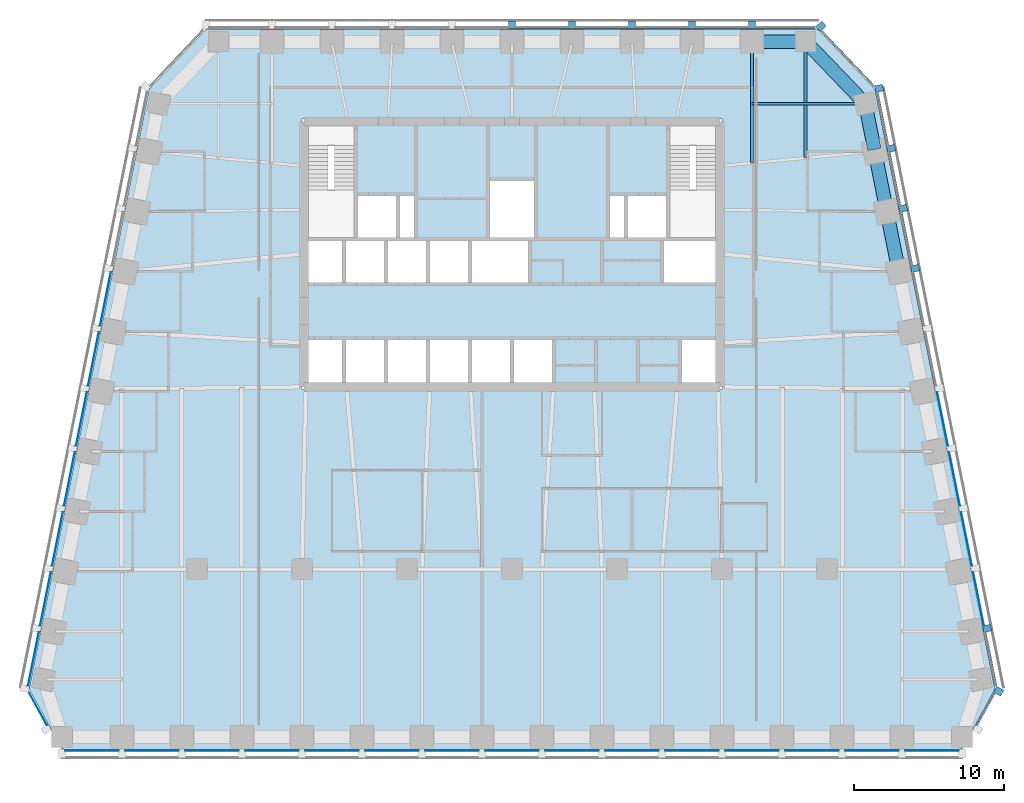
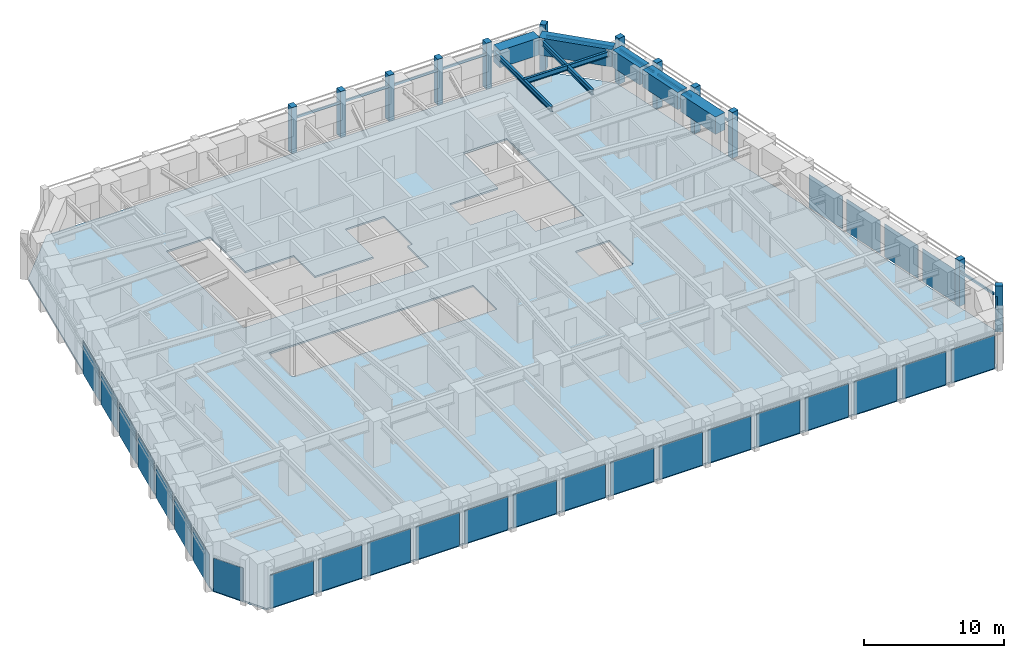
# One storey, part 4 of 10: 27 plates, 23 members, 8 beams, 1 slab, 7 elements without a shape of their own.
"""IFC4 building model written with IfcOpenShell, lengths in metres."""

from ifc_helpers import new_model, si_unit, direction, frame, origin, origin_2d, place, context, subcontext, project, spatial, polyline, rectangle, i_section, outline, extrude, material, layer, layer_set, material_profile, profile_set, type_object, element, aggregate, save


model = new_model("IFC4")

# Units and contexts
model_context = context("Model", 3, precision=1e-05, world=origin(), true_north=direction((0.0, 1.0)))
body_context = subcontext(model_context, "Body", "Model", "MODEL_VIEW")
ifc_project = project(units=[si_unit("LENGTHUNIT", "METRE"), si_unit("AREAUNIT", "SQUARE_METRE"), si_unit("VOLUMEUNIT", "CUBIC_METRE"), si_unit("PLANEANGLEUNIT", "RADIAN"), si_unit("MASSUNIT", "GRAM", prefix="KILO")], contexts=[model_context])

# Site, building, storey
site_placement = place(None, origin())
site = spatial("IfcSite", under=ifc_project, at=site_placement, CompositionType="ELEMENT")
building_placement = place(site_placement, origin())
building = spatial("IfcBuilding", under=site, at=building_placement, Name="Isbrekke Arena Tower", CompositionType="ELEMENT")
storey_placement = place(building_placement, frame((0.0, 0.0, 190.0)))
storey = spatial("IfcBuildingStorey", under=building, at=storey_placement, Name="L43", CompositionType="ELEMENT", Elevation=190.0)

# Beams
ifc_material_1 = material(Name="Steel S355", Category="steel")
ifc_material_profile_1 = material_profile(ifc_material_1, i_section(OverallWidth=0.18994140625, OverallDepth=0.449951171875, WebThickness=0.009521484375, FlangeThickness=0.0146484375, FilletRadius=0.02099609375, at=origin_2d()), Name="IPE 450")
ifc_profile_set_1 = profile_set([ifc_material_profile_1], Name="Steel S355")
beam_type_1 = type_object("IfcBeamType", Name="B2 IPE 450", PredefinedType="BEAM", material=ifc_profile_set_1)
beam_1_placement = place(storey_placement, frame((23.40283203125, 25.029296875, 3.625), z_axis=(-1.0, 0.0, 0.0), x_axis=(0.0, -1.0, 0.0)))
element("IfcBeam", 1, at=beam_1_placement, inside=storey, type_object=beam_type_1, Name="B2 beam E-E11 L43", PredefinedType="BEAM", context=body_context, shape_type="SweptSolid", body=[
    extrude(i_section(OverallWidth=0.18994140625, OverallDepth=0.449951171875, WebThickness=0.009521484375, FlangeThickness=0.0146484375, FilletRadius=0.02099609375, at=origin_2d()), origin(), (0.0, 0.0, 1.0), 7.40283203125),
])
ifc_material_2 = material(Name="Steel S355", Category="steel")
ifc_material_profile_2 = material_profile(ifc_material_2, i_section(OverallWidth=0.18994140625, OverallDepth=0.449951171875, WebThickness=0.009521484375, FlangeThickness=0.0146484375, FilletRadius=0.02099609375, at=origin_2d()), Name="IPE 450")
ifc_profile_set_2 = profile_set([ifc_material_profile_2], Name="Steel S355")
beam_type_2 = type_object("IfcBeamType", Name="B3 IPE 450", PredefinedType="BEAM", material=ifc_profile_set_2)
beam_2_placement = place(storey_placement, frame((19.574951171875, 29.02490234375, 3.625), z_axis=(0.0, -1.0, 0.0), x_axis=(1.0, 0.0, 0.0)))
element("IfcBeam", 2, at=beam_2_placement, inside=storey, type_object=beam_type_2, Name="B3 beam N-N01 L43", PredefinedType="BEAM", context=body_context, shape_type="SweptSolid", body=[
    extrude(i_section(OverallWidth=0.18994140625, OverallDepth=0.449951171875, WebThickness=0.009521484375, FlangeThickness=0.0146484375, FilletRadius=0.02099609375, at=origin_2d()), origin(), (0.0, 0.0, 1.0), 7.6103515625),
])
beam_3_placement = place(storey_placement, frame((16.0, 29.02490234375, 3.625), z_axis=(0.0, -1.0, 0.0), x_axis=(1.0, 0.0, 0.0)))
element("IfcBeam", 3, at=beam_3_placement, inside=storey, type_object=beam_type_2, Name="B3 beam N-N02 L43", PredefinedType="BEAM", context=body_context, shape_type="SweptSolid", body=[
    extrude(i_section(OverallWidth=0.18994140625, OverallDepth=0.449951171875, WebThickness=0.009521484375, FlangeThickness=0.0146484375, FilletRadius=0.02099609375, at=origin_2d()), origin(), (0.0, 0.0, 1.0), 7.949462890625),
])

# Curtain wall, member
ifc_material_3 = material(Name="Glazed aluminium curtain wall", Category="aluminium")
curtain_wall_type = type_object("IfcCurtainWallType", Name="CWH TOWER CURTAIN WALL HIGH ZONE", PredefinedType="USERDEFINED", material=ifc_material_3)
curtain_wall_1_placement = place(storey_placement, origin())
curtain_wall_1 = element("IfcCurtainWall", 4, at=curtain_wall_1_placement, inside=storey, type_object=curtain_wall_type, Name="CWH curtain wall L43-SE", ObjectType="TOWER CURTAIN WALL HIGH ZONE", PredefinedType="USERDEFINED")
ifc_material_4 = material(Name="Aluminium mullion, pale brick slip cladding", Category="masonry")
ifc_material_profile_3 = material_profile(ifc_material_4, rectangle(XDim=0.449951171875, YDim=0.550048828125, at=origin_2d()), Name="PIER 450X550")
ifc_profile_set_3 = profile_set([ifc_material_profile_3], Name="Aluminium mullion, pale brick slip cladding")
member_type_1 = type_object("IfcMemberType", Name="CWH-M PIER MULLION 450 x 550", PredefinedType="MULLION", material=ifc_profile_set_3)
member_1_placement = place(storey_placement, frame((32.44091796875, -14.132568359375, 0.0), z_axis=(0.0, 0.0, 1.0), x_axis=(0.481918749773, 0.876215908676, 0.0)))
member_1 = element("IfcMember", 5, at=member_1_placement, type_object=member_type_1, Name="CWH-M mullion 2", PredefinedType="MULLION", context=body_context, shape_type="SweptSolid", body=[
    extrude(rectangle(XDim=0.449951171875, YDim=0.550048828125, at=origin_2d()), origin(), (0.0, 0.0, 1.0), 4.0),
])

# Curtain wall, members
curtain_wall_2_placement = place(storey_placement, origin())
curtain_wall_2 = element("IfcCurtainWall", 6, at=curtain_wall_2_placement, inside=storey, type_object=curtain_wall_type, Name="CWH curtain wall L43-E", ObjectType="TOWER CURTAIN WALL HIGH ZONE", PredefinedType="USERDEFINED")
member_2_placement = place(storey_placement, frame((31.669677734375, -9.946044921875, 0.0), z_axis=(0.0, 0.0, 1.0), x_axis=(-0.196116135138, 0.980580675691, 0.0)))
member_2 = element("IfcMember", 7, at=member_2_placement, type_object=member_type_1, Name="CWH-M mullion 1", PredefinedType="MULLION", context=body_context, shape_type="SweptSolid", body=[
    extrude(rectangle(XDim=0.449951171875, YDim=0.550048828125, at=origin_2d()), origin(), (0.0, 0.0, 1.0), 4.0),
])
member_3_placement = place(storey_placement, frame((26.86962890625, 14.053955078125, 0.0), z_axis=(0.0, 0.0, 1.0), x_axis=(-0.196116135138, 0.980580675691, 0.0)))
member_3 = element("IfcMember", 8, at=member_3_placement, type_object=member_type_1, Name="CWH-M mullion 7", PredefinedType="MULLION", context=body_context, shape_type="SweptSolid", body=[
    extrude(rectangle(XDim=0.449951171875, YDim=0.550048828125, at=origin_2d()), origin(), (0.0, 0.0, 1.0), 4.0),
])
member_4_placement = place(storey_placement, frame((26.069580078125, 18.053955078125, 0.0), z_axis=(0.0, 0.0, 1.0), x_axis=(-0.196116135138, 0.980580675691, 0.0)))
member_4 = element("IfcMember", 9, at=member_4_placement, type_object=member_type_1, Name="CWH-M mullion 8", PredefinedType="MULLION", context=body_context, shape_type="SweptSolid", body=[
    extrude(rectangle(XDim=0.449951171875, YDim=0.550048828125, at=origin_2d()), origin(), (0.0, 0.0, 1.0), 4.0),
])
member_5_placement = place(storey_placement, frame((25.269775390625, 22.053955078125, 0.0), z_axis=(0.0, 0.0, 1.0), x_axis=(-0.196116135138, 0.980580675691, 0.0)))
member_5 = element("IfcMember", 10, at=member_5_placement, type_object=member_type_1, Name="CWH-M mullion 9", PredefinedType="MULLION", context=body_context, shape_type="SweptSolid", body=[
    extrude(rectangle(XDim=0.449951171875, YDim=0.550048828125, at=origin_2d()), origin(), (0.0, 0.0, 1.0), 4.0),
])
member_6_placement = place(storey_placement, frame((24.4697265625, 26.053955078125, 0.0), z_axis=(0.0, 0.0, 1.0), x_axis=(-0.196116135138, 0.980580675691, 0.0)))
member_6 = element("IfcMember", 11, at=member_6_placement, type_object=member_type_1, Name="CWH-M mullion 10", PredefinedType="MULLION", context=body_context, shape_type="SweptSolid", body=[
    extrude(rectangle(XDim=0.449951171875, YDim=0.550048828125, at=origin_2d()), origin(), (0.0, 0.0, 1.0), 4.0),
])

# Curtain wall, member
curtain_wall_3_placement = place(storey_placement, origin())
curtain_wall_3 = element("IfcCurtainWall", 12, at=curtain_wall_3_placement, inside=storey, type_object=curtain_wall_type, Name="CWH curtain wall L43-EN", ObjectType="TOWER CURTAIN WALL HIGH ZONE", PredefinedType="USERDEFINED")
member_7_placement = place(storey_placement, frame((20.599365234375, 30.189453125, 0.0), z_axis=(0.0, 0.0, 1.0), x_axis=(-0.68874946192, 0.72499943359, 0.0)))
member_7 = element("IfcMember", 13, at=member_7_placement, type_object=member_type_1, Name="CWH-M mullion 1", PredefinedType="MULLION", context=body_context, shape_type="SweptSolid", body=[
    extrude(rectangle(XDim=0.449951171875, YDim=0.550048828125, at=origin_2d()), origin(), (0.0, 0.0, 1.0), 4.0),
])

# Curtain wall, members
curtain_wall_4_placement = place(storey_placement, origin())
curtain_wall_4 = element("IfcCurtainWall", 14, at=curtain_wall_4_placement, inside=storey, type_object=curtain_wall_type, Name="CWH curtain wall L43-N", ObjectType="TOWER CURTAIN WALL HIGH ZONE", PredefinedType="USERDEFINED")
member_8_placement = place(storey_placement, frame((16.0, 30.27490234375, 0.0), z_axis=(0.0, 0.0, 1.0), x_axis=(-1.0, 0.0, 0.0)))
member_8 = element("IfcMember", 15, at=member_8_placement, type_object=member_type_1, Name="CWH-M mullion 1", PredefinedType="MULLION", context=body_context, shape_type="SweptSolid", body=[
    extrude(rectangle(XDim=0.449951171875, YDim=0.550048828125, at=origin_2d()), origin(), (0.0, 0.0, 1.0), 4.0),
])
member_9_placement = place(storey_placement, frame((12.0, 30.27490234375, 0.0), z_axis=(0.0, 0.0, 1.0), x_axis=(-1.0, 0.0, 0.0)))
member_9 = element("IfcMember", 16, at=member_9_placement, type_object=member_type_1, Name="CWH-M mullion 2", PredefinedType="MULLION", context=body_context, shape_type="SweptSolid", body=[
    extrude(rectangle(XDim=0.449951171875, YDim=0.550048828125, at=origin_2d()), origin(), (0.0, 0.0, 1.0), 4.0),
])
member_10_placement = place(storey_placement, frame((8.0, 30.27490234375, 0.0), z_axis=(0.0, 0.0, 1.0), x_axis=(-1.0, 0.0, 0.0)))
member_10 = element("IfcMember", 17, at=member_10_placement, type_object=member_type_1, Name="CWH-M mullion 3", PredefinedType="MULLION", context=body_context, shape_type="SweptSolid", body=[
    extrude(rectangle(XDim=0.449951171875, YDim=0.550048828125, at=origin_2d()), origin(), (0.0, 0.0, 1.0), 4.0),
])
member_11_placement = place(storey_placement, frame((4.0, 30.27490234375, 0.0), z_axis=(0.0, 0.0, 1.0), x_axis=(-1.0, 0.0, 0.0)))
member_11 = element("IfcMember", 18, at=member_11_placement, type_object=member_type_1, Name="CWH-M mullion 4", PredefinedType="MULLION", context=body_context, shape_type="SweptSolid", body=[
    extrude(rectangle(XDim=0.449951171875, YDim=0.550048828125, at=origin_2d()), origin(), (0.0, 0.0, 1.0), 4.0),
])
member_12_placement = place(storey_placement, frame((0.0, 30.27490234375, 0.0), z_axis=(0.0, 0.0, 1.0), x_axis=(-1.0, 0.0, 0.0)))
member_12 = element("IfcMember", 19, at=member_12_placement, type_object=member_type_1, Name="CWH-M mullion 5", PredefinedType="MULLION", context=body_context, shape_type="SweptSolid", body=[
    extrude(rectangle(XDim=0.449951171875, YDim=0.550048828125, at=origin_2d()), origin(), (0.0, 0.0, 1.0), 4.0),
])

# Member
ifc_material_5 = material(Name="Aluminium transom", Category="aluminium")
ifc_material_profile_4 = material_profile(ifc_material_5, rectangle(XDim=0.1201171875, YDim=0.199951171875, at=origin_2d()), Name="TRANSOM 120X200")
ifc_profile_set_4 = profile_set([ifc_material_profile_4], Name="Aluminium transom")
member_type_2 = type_object("IfcMemberType", Name="CWH-T TRANSOM 120 x 200", PredefinedType="USERDEFINED", material=ifc_profile_set_4)
member_13_placement = place(storey_placement, frame((31.002197265625, -16.38525390625, 3.0), z_axis=(0.481937937062, 0.876205355393, 0.0), x_axis=(-0.876205355393, 0.481937937062, 0.0)))
member_13 = element("IfcMember", 20, at=member_13_placement, type_object=member_type_2, Name="CWH-T transom 1", ObjectType="TRANSOM", PredefinedType="USERDEFINED", context=body_context, shape_type="SweptSolid", body=[
    extrude(rectangle(XDim=0.1201171875, YDim=0.199951171875, at=origin_2d()), origin(), (0.0, 0.0, 1.0), 2.442138671875),
])

aggregate(curtain_wall_1, [member_1, member_13])

member_14_placement = place(storey_placement, frame((32.25390625, -13.759765625, 3.0), z_axis=(-0.196090262229, 0.980585849918, 0.0), x_axis=(-0.980585849918, -0.196090262229, 0.0)))
member_14 = element("IfcMember", 21, at=member_14_placement, type_object=member_type_2, Name="CWH-T transom 1", ObjectType="TRANSOM", PredefinedType="USERDEFINED", context=body_context, shape_type="SweptSolid", body=[
    extrude(rectangle(XDim=0.1201171875, YDim=0.199951171875, at=origin_2d()), origin(), (0.0, 0.0, 1.0), 3.62939453125),
])

member_15_placement = place(storey_placement, frame((26.654052734375, 14.240234375, 3.0), z_axis=(-0.196154943734, 0.980572913173, 0.0), x_axis=(-0.980572913173, -0.196154943734, 0.0)))
member_15 = element("IfcMember", 22, at=member_15_placement, type_object=member_type_2, Name="CWH-T transom 8", ObjectType="TRANSOM", PredefinedType="USERDEFINED", context=body_context, shape_type="SweptSolid", body=[
    extrude(rectangle(XDim=0.1201171875, YDim=0.199951171875, at=origin_2d()), origin(), (0.0, 0.0, 1.0), 3.62939453125),
])

member_16_placement = place(storey_placement, frame((25.85400390625, 18.240234375, 3.0), z_axis=(-0.196154943734, 0.980572913173, 0.0), x_axis=(-0.980572913173, -0.196154943734, 0.0)))
member_16 = element("IfcMember", 23, at=member_16_placement, type_object=member_type_2, Name="CWH-T transom 9", ObjectType="TRANSOM", PredefinedType="USERDEFINED", context=body_context, shape_type="SweptSolid", body=[
    extrude(rectangle(XDim=0.1201171875, YDim=0.199951171875, at=origin_2d()), origin(), (0.0, 0.0, 1.0), 3.62939453125),
])

member_17_placement = place(storey_placement, frame((25.053955078125, 22.240234375, 3.0), z_axis=(-0.196090262229, 0.980585849918, 0.0), x_axis=(-0.980585849918, -0.196090262229, 0.0)))
member_17 = element("IfcMember", 24, at=member_17_placement, type_object=member_type_2, Name="CWH-T transom 10", ObjectType="TRANSOM", PredefinedType="USERDEFINED", context=body_context, shape_type="SweptSolid", body=[
    extrude(rectangle(XDim=0.1201171875, YDim=0.199951171875, at=origin_2d()), origin(), (0.0, 0.0, 1.0), 3.62939453125),
])

member_18_placement = place(storey_placement, frame((24.117431640625, 26.23193359375, 3.0), z_axis=(-0.688734266994, 0.725013868466, 0.0), x_axis=(-0.725013868466, -0.688734266994, 0.0)))
member_18 = element("IfcMember", 25, at=member_18_placement, type_object=member_type_2, Name="CWH-T transom 1", ObjectType="TRANSOM", PredefinedType="USERDEFINED", context=body_context, shape_type="SweptSolid", body=[
    extrude(rectangle(XDim=0.1201171875, YDim=0.199951171875, at=origin_2d()), origin(), (0.0, 0.0, 1.0), 5.067138671875),
])

aggregate(curtain_wall_3, [member_7, member_18])

member_19_placement = place(storey_placement, frame((20.175048828125, 30.10009765625, 3.0), z_axis=(-1.0, 0.0, 0.0), x_axis=(0.0, -1.0, 0.0)))
member_19 = element("IfcMember", 26, at=member_19_placement, type_object=member_type_2, Name="CWH-T transom 1", ObjectType="TRANSOM", PredefinedType="USERDEFINED", context=body_context, shape_type="SweptSolid", body=[
    extrude(rectangle(XDim=0.1201171875, YDim=0.199951171875, at=origin_2d()), origin(), (0.0, 0.0, 1.0), 3.949951171875),
])

member_20_placement = place(storey_placement, frame((15.77490234375, 30.10009765625, 3.0), z_axis=(-1.0, 0.0, 0.0), x_axis=(0.0, -1.0, 0.0)))
member_20 = element("IfcMember", 27, at=member_20_placement, type_object=member_type_2, Name="CWH-T transom 2", ObjectType="TRANSOM", PredefinedType="USERDEFINED", context=body_context, shape_type="SweptSolid", body=[
    extrude(rectangle(XDim=0.1201171875, YDim=0.199951171875, at=origin_2d()), origin(), (0.0, 0.0, 1.0), 3.5498046875),
])

member_21_placement = place(storey_placement, frame((11.77490234375, 30.10009765625, 3.0), z_axis=(-1.0, 0.0, 0.0), x_axis=(0.0, -1.0, 0.0)))
member_21 = element("IfcMember", 28, at=member_21_placement, type_object=member_type_2, Name="CWH-T transom 3", ObjectType="TRANSOM", PredefinedType="USERDEFINED", context=body_context, shape_type="SweptSolid", body=[
    extrude(rectangle(XDim=0.1201171875, YDim=0.199951171875, at=origin_2d()), origin(), (0.0, 0.0, 1.0), 3.5498046875),
])

member_22_placement = place(storey_placement, frame((7.77490234375, 30.10009765625, 3.0), z_axis=(-1.0, 0.0, 0.0), x_axis=(0.0, -1.0, 0.0)))
member_22 = element("IfcMember", 29, at=member_22_placement, type_object=member_type_2, Name="CWH-T transom 4", ObjectType="TRANSOM", PredefinedType="USERDEFINED", context=body_context, shape_type="SweptSolid", body=[
    extrude(rectangle(XDim=0.1201171875, YDim=0.199951171875, at=origin_2d()), origin(), (0.0, 0.0, 1.0), 3.5498046875),
])

member_23_placement = place(storey_placement, frame((3.77490234375, 30.10009765625, 3.0), z_axis=(-1.0, 0.0, 0.0), x_axis=(0.0, -1.0, 0.0)))
member_23 = element("IfcMember", 30, at=member_23_placement, type_object=member_type_2, Name="CWH-T transom 5", ObjectType="TRANSOM", PredefinedType="USERDEFINED", context=body_context, shape_type="SweptSolid", body=[
    extrude(rectangle(XDim=0.1201171875, YDim=0.199951171875, at=origin_2d()), origin(), (0.0, 0.0, 1.0), 3.5498046875),
])

aggregate(curtain_wall_4, [member_8, member_9, member_10, member_11, member_12, member_19, member_20, member_21, member_22, member_23])

# Beams
ifc_material_6 = material(Name="Concrete B65 (C65/80)", Category="concrete")
ifc_material_profile_5 = material_profile(ifc_material_6, rectangle(XDim=0.89990234375, YDim=1.5, at=origin_2d()), Name="RC 900x1500")
ifc_profile_set_5 = profile_set([ifc_material_profile_5], Name="Concrete B65 (C65/80)")
beam_type_3 = type_object("IfcBeamType", Name="SB3 RC 900 x 1500", PredefinedType="SPANDREL", material=ifc_profile_set_5)
for number, where, z_axis, x_axis, name in (
    (31, (25.76171875, 13.9853515625, 3.25), (-0.196128558387, 0.980578190959, 0.0), (-0.980578190959, -0.196128558387, 0.0), "SB3 spandrel E08-E09 L43"),
    (32, (24.961669921875, 17.9853515625, 3.25), (-0.196128558387, 0.980578190959, 0.0), (-0.980578190959, -0.196128558387, 0.0), "SB3 spandrel E09-E10 L43"),
):
    element("IfcBeam", number, at=place(storey_placement, frame(where, z_axis=z_axis, x_axis=x_axis)), inside=storey, type_object=beam_type_3, Name=name, PredefinedType="SPANDREL", context=body_context, shape_type="SweptSolid", body=[
        extrude(rectangle(XDim=0.89990234375, YDim=1.5, at=origin_2d()), origin(), (0.0, 0.0, 1.0), 3.779296875),
    ])
beam_4_placement = place(storey_placement, frame((24.16162109375, 21.9853515625, 3.25), z_axis=(-0.196116135138, 0.980580675691, 0.0), x_axis=(-0.980580675691, -0.196116135138, 0.0)))
element("IfcBeam", 33, at=beam_4_placement, inside=storey, type_object=beam_type_3, Name="SB3 spandrel E10-E11 L43", PredefinedType="SPANDREL", context=body_context, shape_type="SweptSolid", body=[
    extrude(rectangle(XDim=0.89990234375, YDim=1.5, at=origin_2d()), origin(), (0.0, 0.0, 1.0), 2.9541015625),
])
beam_5_placement = place(storey_placement, frame((23.448974609375, 25.137451171875, 3.25), z_axis=(-0.692339547635, 0.721571861134, 0.0), x_axis=(-0.721571861134, -0.692339547635, 0.0)))
element("IfcBeam", 34, at=beam_5_placement, inside=storey, type_object=beam_type_3, Name="SB3 spandrel E11-N01 L43", PredefinedType="SPANDREL", context=body_context, shape_type="SweptSolid", body=[
    extrude(rectangle(XDim=0.89990234375, YDim=1.5, at=origin_2d()), origin(), (0.0, 0.0, 1.0), 5.4453125),
])
beam_6_placement = place(storey_placement, frame((19.425048828125, 29.175048828125, 3.25), z_axis=(-1.0, 0.0, 0.0), x_axis=(0.0, -1.0, 0.0)))
element("IfcBeam", 35, at=beam_6_placement, inside=storey, type_object=beam_type_3, Name="SB3 spandrel N01-N02 L43", PredefinedType="SPANDREL", context=body_context, shape_type="SweptSolid", body=[
    extrude(rectangle(XDim=0.89990234375, YDim=1.5, at=origin_2d()), origin(), (0.0, 0.0, 1.0), 3.275146484375),
])

# Curtain wall, plates
curtain_wall_5_placement = place(storey_placement, origin())
curtain_wall_5 = element("IfcCurtainWall", 36, at=curtain_wall_5_placement, inside=storey, type_object=curtain_wall_type, Name="CWH curtain wall L43-S", ObjectType="TOWER CURTAIN WALL HIGH ZONE", PredefinedType="USERDEFINED")
ifc_material_7 = material(Name="Triple-glazed clear glass unit", Category="glass")
ifc_layer_1 = layer(ifc_material_7, 0.031982421875)
ifc_layer_set_1 = layer_set([ifc_layer_1], Name="CWH-P VISION PANEL")
plate_type = type_object("IfcPlateType", Name="CWH-P VISION PANEL", PredefinedType="CURTAIN_PANEL", material=ifc_layer_set_1)
plate_1_placement = place(storey_placement, frame((-28.0, -18.10009765625, 0.02001953125), z_axis=(0.0, 0.0, 1.0), x_axis=(1.0, 0.0, 0.0)))
plate_1 = element("IfcPlate", 37, at=plate_1_placement, type_object=plate_type, Name="CWH-P panel 1", PredefinedType="CURTAIN_PANEL", context=body_context, shape_type="SweptSolid", body=[
    extrude(rectangle(XDim=3.550048828125, YDim=0.031982421875, at=origin_2d()), origin(), (0.0, 0.0, 1.0), 2.8798828125),
])
plate_2_placement = place(storey_placement, frame((-24.0, -18.10009765625, 0.02001953125), z_axis=(0.0, 0.0, 1.0), x_axis=(1.0, 0.0, 0.0)))
plate_2 = element("IfcPlate", 38, at=plate_2_placement, type_object=plate_type, Name="CWH-P panel 2", PredefinedType="CURTAIN_PANEL", context=body_context, shape_type="SweptSolid", body=[
    extrude(rectangle(XDim=3.550048828125, YDim=0.031982421875, at=origin_2d()), origin(), (0.0, 0.0, 1.0), 2.8798828125),
])
plate_3_placement = place(storey_placement, frame((-20.0, -18.10009765625, 0.02001953125), z_axis=(0.0, 0.0, 1.0), x_axis=(1.0, 0.0, 0.0)))
plate_3 = element("IfcPlate", 39, at=plate_3_placement, type_object=plate_type, Name="CWH-P panel 3", PredefinedType="CURTAIN_PANEL", context=body_context, shape_type="SweptSolid", body=[
    extrude(rectangle(XDim=3.550048828125, YDim=0.031982421875, at=origin_2d()), origin(), (0.0, 0.0, 1.0), 2.8798828125),
])
plate_4_placement = place(storey_placement, frame((-16.0, -18.10009765625, 0.02001953125), z_axis=(0.0, 0.0, 1.0), x_axis=(1.0, 0.0, 0.0)))
plate_4 = element("IfcPlate", 40, at=plate_4_placement, type_object=plate_type, Name="CWH-P panel 4", PredefinedType="CURTAIN_PANEL", context=body_context, shape_type="SweptSolid", body=[
    extrude(rectangle(XDim=3.550048828125, YDim=0.031982421875, at=origin_2d()), origin(), (0.0, 0.0, 1.0), 2.8798828125),
])
plate_5_placement = place(storey_placement, frame((-12.0, -18.10009765625, 0.02001953125), z_axis=(0.0, 0.0, 1.0), x_axis=(1.0, 0.0, 0.0)))
plate_5 = element("IfcPlate", 41, at=plate_5_placement, type_object=plate_type, Name="CWH-P panel 5", PredefinedType="CURTAIN_PANEL", context=body_context, shape_type="SweptSolid", body=[
    extrude(rectangle(XDim=3.550048828125, YDim=0.031982421875, at=origin_2d()), origin(), (0.0, 0.0, 1.0), 2.8798828125),
])
plate_6_placement = place(storey_placement, frame((-8.0, -18.10009765625, 0.02001953125), z_axis=(0.0, 0.0, 1.0), x_axis=(1.0, 0.0, 0.0)))
plate_6 = element("IfcPlate", 42, at=plate_6_placement, type_object=plate_type, Name="CWH-P panel 6", PredefinedType="CURTAIN_PANEL", context=body_context, shape_type="SweptSolid", body=[
    extrude(rectangle(XDim=3.550048828125, YDim=0.031982421875, at=origin_2d()), origin(), (0.0, 0.0, 1.0), 2.8798828125),
])
plate_7_placement = place(storey_placement, frame((-4.0, -18.10009765625, 0.02001953125), z_axis=(0.0, 0.0, 1.0), x_axis=(1.0, 0.0, 0.0)))
plate_7 = element("IfcPlate", 43, at=plate_7_placement, type_object=plate_type, Name="CWH-P panel 7", PredefinedType="CURTAIN_PANEL", context=body_context, shape_type="SweptSolid", body=[
    extrude(rectangle(XDim=3.550048828125, YDim=0.031982421875, at=origin_2d()), origin(), (0.0, 0.0, 1.0), 2.8798828125),
])
plate_8_placement = place(storey_placement, frame((0.0, -18.10009765625, 0.02001953125), z_axis=(0.0, 0.0, 1.0), x_axis=(1.0, 0.0, 0.0)))
plate_8 = element("IfcPlate", 44, at=plate_8_placement, type_object=plate_type, Name="CWH-P panel 8", PredefinedType="CURTAIN_PANEL", context=body_context, shape_type="SweptSolid", body=[
    extrude(rectangle(XDim=3.550048828125, YDim=0.031982421875, at=origin_2d()), origin(), (0.0, 0.0, 1.0), 2.8798828125),
])
plate_9_placement = place(storey_placement, frame((4.0, -18.10009765625, 0.02001953125), z_axis=(0.0, 0.0, 1.0), x_axis=(1.0, 0.0, 0.0)))
plate_9 = element("IfcPlate", 45, at=plate_9_placement, type_object=plate_type, Name="CWH-P panel 9", PredefinedType="CURTAIN_PANEL", context=body_context, shape_type="SweptSolid", body=[
    extrude(rectangle(XDim=3.550048828125, YDim=0.031982421875, at=origin_2d()), origin(), (0.0, 0.0, 1.0), 2.8798828125),
])
plate_10_placement = place(storey_placement, frame((8.0, -18.10009765625, 0.02001953125), z_axis=(0.0, 0.0, 1.0), x_axis=(1.0, 0.0, 0.0)))
plate_10 = element("IfcPlate", 46, at=plate_10_placement, type_object=plate_type, Name="CWH-P panel 10", PredefinedType="CURTAIN_PANEL", context=body_context, shape_type="SweptSolid", body=[
    extrude(rectangle(XDim=3.550048828125, YDim=0.031982421875, at=origin_2d()), origin(), (0.0, 0.0, 1.0), 2.8798828125),
])
plate_11_placement = place(storey_placement, frame((12.0, -18.10009765625, 0.02001953125), z_axis=(0.0, 0.0, 1.0), x_axis=(1.0, 0.0, 0.0)))
plate_11 = element("IfcPlate", 47, at=plate_11_placement, type_object=plate_type, Name="CWH-P panel 11", PredefinedType="CURTAIN_PANEL", context=body_context, shape_type="SweptSolid", body=[
    extrude(rectangle(XDim=3.550048828125, YDim=0.031982421875, at=origin_2d()), origin(), (0.0, 0.0, 1.0), 2.8798828125),
])
plate_12_placement = place(storey_placement, frame((16.0, -18.10009765625, 0.02001953125), z_axis=(0.0, 0.0, 1.0), x_axis=(1.0, 0.0, 0.0)))
plate_12 = element("IfcPlate", 48, at=plate_12_placement, type_object=plate_type, Name="CWH-P panel 12", PredefinedType="CURTAIN_PANEL", context=body_context, shape_type="SweptSolid", body=[
    extrude(rectangle(XDim=3.550048828125, YDim=0.031982421875, at=origin_2d()), origin(), (0.0, 0.0, 1.0), 2.8798828125),
])
plate_13_placement = place(storey_placement, frame((20.0, -18.10009765625, 0.02001953125), z_axis=(0.0, 0.0, 1.0), x_axis=(1.0, 0.0, 0.0)))
plate_13 = element("IfcPlate", 49, at=plate_13_placement, type_object=plate_type, Name="CWH-P panel 13", PredefinedType="CURTAIN_PANEL", context=body_context, shape_type="SweptSolid", body=[
    extrude(rectangle(XDim=3.550048828125, YDim=0.031982421875, at=origin_2d()), origin(), (0.0, 0.0, 1.0), 2.8798828125),
])
plate_14_placement = place(storey_placement, frame((24.0, -18.10009765625, 0.02001953125), z_axis=(0.0, 0.0, 1.0), x_axis=(1.0, 0.0, 0.0)))
plate_14 = element("IfcPlate", 50, at=plate_14_placement, type_object=plate_type, Name="CWH-P panel 14", PredefinedType="CURTAIN_PANEL", context=body_context, shape_type="SweptSolid", body=[
    extrude(rectangle(XDim=3.550048828125, YDim=0.031982421875, at=origin_2d()), origin(), (0.0, 0.0, 1.0), 2.8798828125),
])
plate_15_placement = place(storey_placement, frame((28.0, -18.10009765625, 0.02001953125), z_axis=(0.0, 0.0, 1.0), x_axis=(1.0, 0.0, 0.0)))
plate_15 = element("IfcPlate", 51, at=plate_15_placement, type_object=plate_type, Name="CWH-P panel 15", PredefinedType="CURTAIN_PANEL", context=body_context, shape_type="SweptSolid", body=[
    extrude(rectangle(XDim=3.550048828125, YDim=0.031982421875, at=origin_2d()), origin(), (0.0, 0.0, 1.0), 2.8798828125),
])
aggregate(curtain_wall_5, [plate_1, plate_2, plate_3, plate_4, plate_5, plate_6, plate_7, plate_8, plate_9, plate_10, plate_11, plate_12, plate_13, plate_14, plate_15])

# Plate
plate_16_placement = place(storey_placement, frame((31.09814453125, -7.98046875, 0.02001953125), z_axis=(0.0, 0.0, 1.0), x_axis=(-0.196116135138, 0.980580675691, 0.0)))
plate_16 = element("IfcPlate", 52, at=plate_16_placement, type_object=plate_type, Name="CWH-P panel 2", PredefinedType="CURTAIN_PANEL", context=body_context, shape_type="SweptSolid", body=[
    extrude(rectangle(XDim=3.629150390625, YDim=0.031982421875, at=origin_2d()), origin(), (0.0, 0.0, 1.0), 2.8798828125),
])

plate_17_placement = place(storey_placement, frame((30.298095703125, -3.98046875, 0.02001953125), z_axis=(0.0, 0.0, 1.0), x_axis=(-0.196116135138, 0.980580675691, 0.0)))
plate_17 = element("IfcPlate", 53, at=plate_17_placement, type_object=plate_type, Name="CWH-P panel 3", PredefinedType="CURTAIN_PANEL", context=body_context, shape_type="SweptSolid", body=[
    extrude(rectangle(XDim=3.629150390625, YDim=0.031982421875, at=origin_2d()), origin(), (0.0, 0.0, 1.0), 2.8798828125),
])

plate_18_placement = place(storey_placement, frame((29.498046875, 0.01953125, 0.02001953125), z_axis=(0.0, 0.0, 1.0), x_axis=(-0.196116135138, 0.980580675691, 0.0)))
plate_18 = element("IfcPlate", 54, at=plate_18_placement, type_object=plate_type, Name="CWH-P panel 4", PredefinedType="CURTAIN_PANEL", context=body_context, shape_type="SweptSolid", body=[
    extrude(rectangle(XDim=3.629150390625, YDim=0.031982421875, at=origin_2d()), origin(), (0.0, 0.0, 1.0), 2.8798828125),
])

plate_19_placement = place(storey_placement, frame((28.697998046875, 4.01953125, 0.02001953125), z_axis=(0.0, 0.0, 1.0), x_axis=(-0.196116135138, 0.980580675691, 0.0)))
plate_19 = element("IfcPlate", 55, at=plate_19_placement, type_object=plate_type, Name="CWH-P panel 5", PredefinedType="CURTAIN_PANEL", context=body_context, shape_type="SweptSolid", body=[
    extrude(rectangle(XDim=3.629150390625, YDim=0.031982421875, at=origin_2d()), origin(), (0.0, 0.0, 1.0), 2.8798828125),
])

aggregate(curtain_wall_2, [member_2, member_3, member_4, member_5, member_6, member_14, plate_16, plate_17, plate_18, plate_19, member_15, member_16, member_17])

# Curtain wall, plates
curtain_wall_6_placement = place(storey_placement, origin())
curtain_wall_6 = element("IfcCurtainWall", 56, at=curtain_wall_6_placement, inside=storey, type_object=curtain_wall_type, Name="CWH curtain wall L43-W", ObjectType="TOWER CURTAIN WALL HIGH ZONE", PredefinedType="USERDEFINED")
plate_20_placement = place(storey_placement, frame((-27.09814453125, 12.01953125, 0.02001953125), z_axis=(0.0, 0.0, 1.0), x_axis=(-0.196116135138, -0.980580675691, 0.0)))
plate_20 = element("IfcPlate", 57, at=plate_20_placement, type_object=plate_type, Name="CWH-P panel 4", PredefinedType="CURTAIN_PANEL", context=body_context, shape_type="SweptSolid", body=[
    extrude(rectangle(XDim=3.629150390625, YDim=0.031982421875, at=origin_2d()), origin(), (0.0, 0.0, 1.0), 2.8798828125),
])
plate_21_placement = place(storey_placement, frame((-27.89794921875, 8.01953125, 0.02001953125), z_axis=(0.0, 0.0, 1.0), x_axis=(-0.196116135138, -0.980580675691, 0.0)))
plate_21 = element("IfcPlate", 58, at=plate_21_placement, type_object=plate_type, Name="CWH-P panel 5", PredefinedType="CURTAIN_PANEL", context=body_context, shape_type="SweptSolid", body=[
    extrude(rectangle(XDim=3.629150390625, YDim=0.031982421875, at=origin_2d()), origin(), (0.0, 0.0, 1.0), 2.8798828125),
])
plate_22_placement = place(storey_placement, frame((-28.697998046875, 4.01953125, 0.02001953125), z_axis=(0.0, 0.0, 1.0), x_axis=(-0.196116135138, -0.980580675691, 0.0)))
plate_22 = element("IfcPlate", 59, at=plate_22_placement, type_object=plate_type, Name="CWH-P panel 6", PredefinedType="CURTAIN_PANEL", context=body_context, shape_type="SweptSolid", body=[
    extrude(rectangle(XDim=3.629150390625, YDim=0.031982421875, at=origin_2d()), origin(), (0.0, 0.0, 1.0), 2.8798828125),
])
plate_23_placement = place(storey_placement, frame((-29.498046875, 0.01953125, 0.02001953125), z_axis=(0.0, 0.0, 1.0), x_axis=(-0.196116135138, -0.980580675691, 0.0)))
plate_23 = element("IfcPlate", 60, at=plate_23_placement, type_object=plate_type, Name="CWH-P panel 7", PredefinedType="CURTAIN_PANEL", context=body_context, shape_type="SweptSolid", body=[
    extrude(rectangle(XDim=3.629150390625, YDim=0.031982421875, at=origin_2d()), origin(), (0.0, 0.0, 1.0), 2.8798828125),
])
plate_24_placement = place(storey_placement, frame((-30.298095703125, -3.98046875, 0.02001953125), z_axis=(0.0, 0.0, 1.0), x_axis=(-0.196116135138, -0.980580675691, 0.0)))
plate_24 = element("IfcPlate", 61, at=plate_24_placement, type_object=plate_type, Name="CWH-P panel 8", PredefinedType="CURTAIN_PANEL", context=body_context, shape_type="SweptSolid", body=[
    extrude(rectangle(XDim=3.629150390625, YDim=0.031982421875, at=origin_2d()), origin(), (0.0, 0.0, 1.0), 2.8798828125),
])
plate_25_placement = place(storey_placement, frame((-31.09814453125, -7.98046875, 0.02001953125), z_axis=(0.0, 0.0, 1.0), x_axis=(-0.196116135138, -0.980580675691, 0.0)))
plate_25 = element("IfcPlate", 62, at=plate_25_placement, type_object=plate_type, Name="CWH-P panel 9", PredefinedType="CURTAIN_PANEL", context=body_context, shape_type="SweptSolid", body=[
    extrude(rectangle(XDim=3.629150390625, YDim=0.031982421875, at=origin_2d()), origin(), (0.0, 0.0, 1.0), 2.8798828125),
])
plate_26_placement = place(storey_placement, frame((-31.89794921875, -11.98046875, 0.02001953125), z_axis=(0.0, 0.0, 1.0), x_axis=(-0.196116135138, -0.980580675691, 0.0)))
plate_26 = element("IfcPlate", 63, at=plate_26_placement, type_object=plate_type, Name="CWH-P panel 10", PredefinedType="CURTAIN_PANEL", context=body_context, shape_type="SweptSolid", body=[
    extrude(rectangle(XDim=3.629150390625, YDim=0.031982421875, at=origin_2d()), origin(), (0.0, 0.0, 1.0), 2.8798828125),
])
aggregate(curtain_wall_6, [plate_20, plate_21, plate_22, plate_23, plate_24, plate_25, plate_26])

# Curtain wall, plate
curtain_wall_7_placement = place(storey_placement, origin())
curtain_wall_7 = element("IfcCurtainWall", 64, at=curtain_wall_7_placement, inside=storey, type_object=curtain_wall_type, Name="CWH curtain wall L43-WS", ObjectType="TOWER CURTAIN WALL HIGH ZONE", PredefinedType="USERDEFINED")
plate_27_placement = place(storey_placement, frame((-31.59033203125, -15.31591796875, 0.02001953125), z_axis=(0.0, 0.0, 1.0), x_axis=(0.481918749773, -0.876215908676, 0.0)))
plate_27 = element("IfcPlate", 65, at=plate_27_placement, type_object=plate_type, Name="CWH-P panel 1", PredefinedType="CURTAIN_PANEL", context=body_context, shape_type="SweptSolid", body=[
    extrude(rectangle(XDim=2.443603515625, YDim=0.031982421875, at=origin_2d()), origin(), (0.0, 0.0, 1.0), 2.8798828125),
])
aggregate(curtain_wall_7, [plate_27])

# Slab
ifc_material_8 = material(Name="Concrete B35 (C35/45)", Category="concrete")
ifc_layer_2 = layer(ifc_material_8, 0.14990234375)
ifc_layer_set_2 = layer_set([ifc_layer_2], Name="FS1 COMPOSITE FLOOR 150")
slab_type = type_object("IfcSlabType", Name="FS1 COMPOSITE FLOOR 150", PredefinedType="FLOOR", material=ifc_layer_set_2)
slab_placement = place(storey_placement, frame((0.0, 0.0, -0.14990234375)))
element("IfcSlab", 66, at=slab_placement, inside=storey, type_object=slab_type, Name="FS1 floor slab L43", PredefinedType="FLOOR", context=body_context, shape_type="SweptSolid", body=[
    extrude(outline(polyline([(-30.0, -18.0), (30.0, -18.0), (32.199951171875, -14.0), (24.199951171875, 26.0), (20.39990234375, 30.0), (-20.39990234375, 30.0), (-24.199951171875, 26.0), (-32.199951171875, -14.0), (-30.0, -18.0)]), holes=[polyline([(2.800048828125, 9.39990234375), (2.800048828125, 6.0), (-14.0, 6.0), (-14.0, 9.39990234375), (2.800048828125, 9.39990234375)]), polyline([(11.199951171875, 6.0), (11.199951171875, 9.39990234375), (14.0, 9.39990234375), (14.0, 6.0), (11.199951171875, 6.0)]), polyline([(-14.0, 13.0), (-14.0, 24.0), (-10.39990234375, 24.0), (-10.39990234375, 19.0), (-6.39990234375, 19.0), (-6.39990234375, 16.0), (-1.60009765625, 16.0), (-1.60009765625, 20.0), (1.60009765625, 20.0), (1.60009765625, 16.0), (1.199951171875, 16.0), (1.199951171875, 13.0), (-14.0, 13.0)]), polyline([(10.0, 13.0), (10.0, 16.0), (6.39990234375, 16.0), (6.39990234375, 19.0), (10.39990234375, 19.0), (10.39990234375, 24.0), (14.0, 24.0), (14.0, 13.0), (10.0, 13.0)])]), origin(), (0.0, 0.0, 1.0), 0.14990234375),
])

save(model, "model.ifc")
